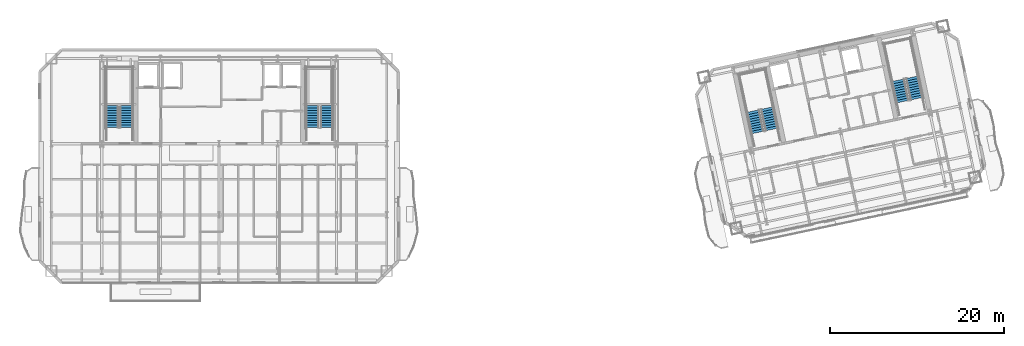
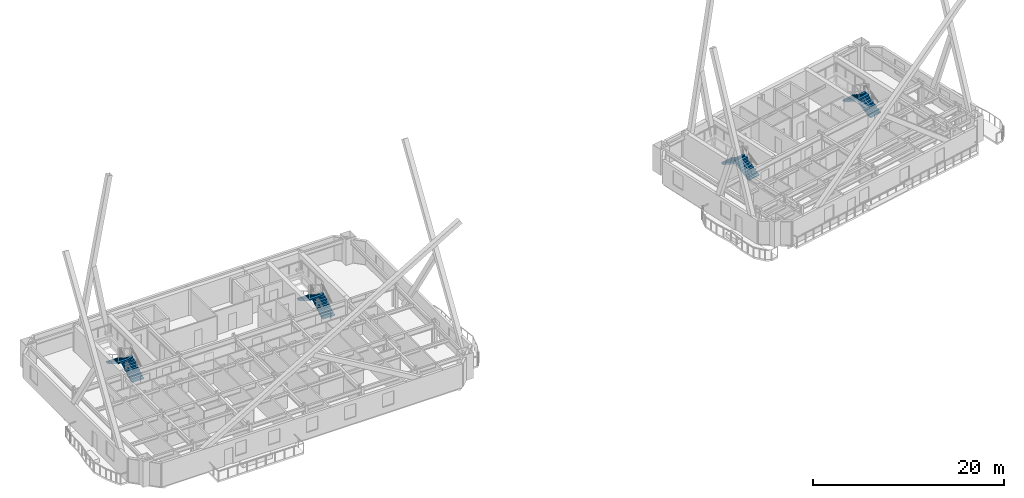
# One storey, part 15 of 20: 8 stair flights, 4 elements without a shape of their own.
"""IFC4 building model written with IfcOpenShell, lengths in metres."""

from ifc_helpers import new_model, si_unit, direction, frame, origin, place, context, subcontext, project, spatial, polyline, outline, extrude, material, type_object, element, aggregate, save


model = new_model("IFC4")

# Units and contexts
model_context = context("Model", 3, precision=1e-05, world=origin(), true_north=direction((0.0, 1.0)))
body_context = subcontext(model_context, "Body", "Model", "MODEL_VIEW")
ifc_project = project(units=[si_unit("LENGTHUNIT", "METRE"), si_unit("AREAUNIT", "SQUARE_METRE"), si_unit("VOLUMEUNIT", "CUBIC_METRE"), si_unit("PLANEANGLEUNIT", "RADIAN"), si_unit("MASSUNIT", "GRAM", prefix="KILO")], contexts=[model_context])

# Site, building, storey
site_placement = place(None, origin())
site = spatial("IfcSite", under=ifc_project, at=site_placement, CompositionType="ELEMENT")
building_placement = place(site_placement, origin())
building = spatial("IfcBuilding", under=site, at=building_placement, Name="Haevon Station Towers", CompositionType="ELEMENT")
storey_placement = place(building_placement, frame((0.0, 0.0, 175.800048828125)))
storey = spatial("IfcBuildingStorey", under=building, at=storey_placement, Name="L48", CompositionType="ELEMENT", Elevation=175.800048828125)

# Stair, stair flights
ifc_material = material(Name="Concrete C40/50", Category="concrete")
stair_type = type_object("IfcStairType", Name="STR-DL1450", PredefinedType="USERDEFINED", material=ifc_material)
stair_1_placement = place(storey_placement, origin())
stair_1 = element("IfcStair", 1, at=stair_1_placement, inside=storey, type_object=stair_type, Name="L48 Escape Stair ST1", ObjectType="TWO_RETURN_STAIR", PredefinedType="USERDEFINED")
stair_flight_type = type_object("IfcStairFlightType", Name="STF-ST1450", PredefinedType="STRAIGHT", material=ifc_material)
stair_flight_1_placement = place(storey_placement, frame((26.85498046875, 40.050048828125, 0.0), z_axis=(0.0, 0.0, 1.0), x_axis=(0.0, 1.0, 0.0)))
stair_flight_1 = element("IfcStairFlight", 2, at=stair_flight_1_placement, type_object=stair_flight_type, Name="L48 ST1 Flight 1", NumberOfRisers=10, NumberOfTreads=9, PredefinedType="STRAIGHT", RiserHeight=0.165, TreadLength=0.28, context=body_context, shape_type="SweptSolid", body=[
    extrude(outline(polyline([(0.0, 0.0), (0.0, 0.1650390625), (0.280029296875, 0.1650390625), (0.280029296875, 0.330078125), (0.56005859375, 0.330078125), (0.56005859375, 0.4951171875), (0.840087890625, 0.4951171875), (0.840087890625, 0.659912109375), (1.1201171875, 0.659912109375), (1.1201171875, 0.824951171875), (1.39990234375, 0.824951171875), (1.39990234375, 0.989990234375), (1.679931640625, 0.989990234375), (1.679931640625, 1.155029296875), (1.9599609375, 1.155029296875), (1.9599609375, 1.320068359375), (2.239990234375, 1.320068359375), (2.239990234375, 1.485107421875), (2.52001953125, 1.485107421875), (2.52001953125, 1.64990234375), (2.52001953125, 1.29931640625), (0.31494140625, 0.0), (0.0, 0.0)])), frame((0.0, 0.72509765625, 0.0), z_axis=(0.0, -1.0, 0.0), x_axis=(1.0, 0.0, 0.0)), (0.0, 0.0, 1.0), 1.449951171875),
])
stair_flight_2_placement = place(storey_placement, frame((25.205078125, 42.570068359375, 1.64990234375), z_axis=(0.0, 0.0, 1.0), x_axis=(0.0, -1.0, 0.0)))
stair_flight_2 = element("IfcStairFlight", 3, at=stair_flight_2_placement, type_object=stair_flight_type, Name="L48 ST1 Flight 2", NumberOfRisers=10, NumberOfTreads=9, PredefinedType="STRAIGHT", RiserHeight=0.165, TreadLength=0.28, context=body_context, shape_type="SweptSolid", body=[
    extrude(outline(polyline([(0.0, 0.0), (0.0, 0.1650390625), (0.280029296875, 0.1650390625), (0.280029296875, 0.330078125), (0.56005859375, 0.330078125), (0.56005859375, 0.4951171875), (0.840087890625, 0.4951171875), (0.840087890625, 0.659912109375), (1.1201171875, 0.659912109375), (1.1201171875, 0.824951171875), (1.39990234375, 0.824951171875), (1.39990234375, 0.989990234375), (1.679931640625, 0.989990234375), (1.679931640625, 1.155029296875), (1.9599609375, 1.155029296875), (1.9599609375, 1.320068359375), (2.239990234375, 1.320068359375), (2.239990234375, 1.485107421875), (2.52001953125, 1.485107421875), (2.52001953125, 1.64990234375), (2.52001953125, 1.29931640625), (0.31494140625, 0.0), (0.0, 0.0)])), frame((0.0, 0.72509765625, 0.0), z_axis=(0.0, -1.0, 0.0), x_axis=(1.0, 0.0, 0.0)), (0.0, 0.0, 1.0), 1.449951171875),
])
aggregate(stair_1, [stair_flight_1, stair_flight_2])

stair_2_placement = place(storey_placement, origin())
stair_2 = element("IfcStair", 4, at=stair_2_placement, inside=storey, type_object=stair_type, Name="L48 Escape Stair ST2", ObjectType="TWO_RETURN_STAIR", PredefinedType="USERDEFINED")
stair_flight_3_placement = place(storey_placement, frame((49.89501953125, 40.050048828125, 0.0), z_axis=(0.0, 0.0, 1.0), x_axis=(0.0, 1.0, 0.0)))
stair_flight_3 = element("IfcStairFlight", 5, at=stair_flight_3_placement, type_object=stair_flight_type, Name="L48 ST2 Flight 1", NumberOfRisers=10, NumberOfTreads=9, PredefinedType="STRAIGHT", RiserHeight=0.165, TreadLength=0.28, context=body_context, shape_type="SweptSolid", body=[
    extrude(outline(polyline([(0.0, 0.0), (0.0, 0.1650390625), (0.280029296875, 0.1650390625), (0.280029296875, 0.330078125), (0.56005859375, 0.330078125), (0.56005859375, 0.4951171875), (0.840087890625, 0.4951171875), (0.840087890625, 0.659912109375), (1.1201171875, 0.659912109375), (1.1201171875, 0.824951171875), (1.39990234375, 0.824951171875), (1.39990234375, 0.989990234375), (1.679931640625, 0.989990234375), (1.679931640625, 1.155029296875), (1.9599609375, 1.155029296875), (1.9599609375, 1.320068359375), (2.239990234375, 1.320068359375), (2.239990234375, 1.485107421875), (2.52001953125, 1.485107421875), (2.52001953125, 1.64990234375), (2.52001953125, 1.29931640625), (0.31494140625, 0.0), (0.0, 0.0)])), frame((0.0, 0.72509765625, 0.0), z_axis=(0.0, -1.0, 0.0), x_axis=(1.0, 0.0, 0.0)), (0.0, 0.0, 1.0), 1.449951171875),
])
stair_flight_4_placement = place(storey_placement, frame((48.2451171875, 42.570068359375, 1.64990234375), z_axis=(0.0, 0.0, 1.0), x_axis=(0.0, -1.0, 0.0)))
stair_flight_4 = element("IfcStairFlight", 6, at=stair_flight_4_placement, type_object=stair_flight_type, Name="L48 ST2 Flight 2", NumberOfRisers=10, NumberOfTreads=9, PredefinedType="STRAIGHT", RiserHeight=0.165, TreadLength=0.28, context=body_context, shape_type="SweptSolid", body=[
    extrude(outline(polyline([(0.0, 0.0), (0.0, 0.1650390625), (0.280029296875, 0.1650390625), (0.280029296875, 0.330078125), (0.56005859375, 0.330078125), (0.56005859375, 0.4951171875), (0.840087890625, 0.4951171875), (0.840087890625, 0.659912109375), (1.1201171875, 0.659912109375), (1.1201171875, 0.824951171875), (1.39990234375, 0.824951171875), (1.39990234375, 0.989990234375), (1.679931640625, 0.989990234375), (1.679931640625, 1.155029296875), (1.9599609375, 1.155029296875), (1.9599609375, 1.320068359375), (2.239990234375, 1.320068359375), (2.239990234375, 1.485107421875), (2.52001953125, 1.485107421875), (2.52001953125, 1.64990234375), (2.52001953125, 1.29931640625), (0.31494140625, 0.0), (0.0, 0.0)])), frame((0.0, 0.72509765625, 0.0), z_axis=(0.0, -1.0, 0.0), x_axis=(1.0, 0.0, 0.0)), (0.0, 0.0, 1.0), 1.449951171875),
])
aggregate(stair_2, [stair_flight_3, stair_flight_4])

stair_3_placement = place(storey_placement, origin())
stair_3 = element("IfcStair", 7, at=stair_3_placement, inside=storey, type_object=stair_type, Name="L48 Escape Stair ST3", ObjectType="TWO_RETURN_STAIR", PredefinedType="USERDEFINED")
stair_flight_5_placement = place(storey_placement, frame((101.1015625, 39.8330078125, 0.0), z_axis=(0.0, 0.0, 1.0), x_axis=(-0.207911690818, 0.978147600734, 0.0)))
stair_flight_5 = element("IfcStairFlight", 8, at=stair_flight_5_placement, type_object=stair_flight_type, Name="L48 ST3 Flight 1", NumberOfRisers=10, NumberOfTreads=9, PredefinedType="STRAIGHT", RiserHeight=0.165, TreadLength=0.28, context=body_context, shape_type="SweptSolid", body=[
    extrude(outline(polyline([(0.0, 0.0), (0.0, 0.1650390625), (0.280029296875, 0.1650390625), (0.280029296875, 0.330078125), (0.56005859375, 0.330078125), (0.56005859375, 0.4951171875), (0.840087890625, 0.4951171875), (0.840087890625, 0.659912109375), (1.1201171875, 0.659912109375), (1.1201171875, 0.824951171875), (1.39990234375, 0.824951171875), (1.39990234375, 0.989990234375), (1.679931640625, 0.989990234375), (1.679931640625, 1.155029296875), (1.9599609375, 1.155029296875), (1.9599609375, 1.320068359375), (2.239990234375, 1.320068359375), (2.239990234375, 1.485107421875), (2.52001953125, 1.485107421875), (2.52001953125, 1.64990234375), (2.52001953125, 1.29931640625), (0.31494140625, 0.0), (0.0, 0.0)])), frame((0.0, 0.72509765625, 0.0), z_axis=(0.0, -1.0, 0.0), x_axis=(1.0, 0.0, 0.0)), (0.0, 0.0, 1.0), 1.449951171875),
])
stair_flight_6_placement = place(storey_placement, frame((98.9638671875, 41.955078125, 1.64990234375), z_axis=(0.0, 0.0, 1.0), x_axis=(0.207911690818, -0.978147600734, 0.0)))
stair_flight_6 = element("IfcStairFlight", 9, at=stair_flight_6_placement, type_object=stair_flight_type, Name="L48 ST3 Flight 2", NumberOfRisers=10, NumberOfTreads=9, PredefinedType="STRAIGHT", RiserHeight=0.165, TreadLength=0.28, context=body_context, shape_type="SweptSolid", body=[
    extrude(outline(polyline([(0.0, 0.0), (0.0, 0.1650390625), (0.280029296875, 0.1650390625), (0.280029296875, 0.330078125), (0.56005859375, 0.330078125), (0.56005859375, 0.4951171875), (0.840087890625, 0.4951171875), (0.840087890625, 0.659912109375), (1.1201171875, 0.659912109375), (1.1201171875, 0.824951171875), (1.39990234375, 0.824951171875), (1.39990234375, 0.989990234375), (1.679931640625, 0.989990234375), (1.679931640625, 1.155029296875), (1.9599609375, 1.155029296875), (1.9599609375, 1.320068359375), (2.239990234375, 1.320068359375), (2.239990234375, 1.485107421875), (2.52001953125, 1.485107421875), (2.52001953125, 1.64990234375), (2.52001953125, 1.29931640625), (0.31494140625, 0.0), (0.0, 0.0)])), frame((0.0, 0.72509765625, 0.0), z_axis=(0.0, -1.0, 0.0), x_axis=(1.0, 0.0, 0.0)), (0.0, 0.0, 1.0), 1.449951171875),
])
aggregate(stair_3, [stair_flight_5, stair_flight_6])

stair_4_placement = place(storey_placement, origin())
stair_4 = element("IfcStair", 10, at=stair_4_placement, inside=storey, type_object=stair_type, Name="L48 Escape Stair ST4", ObjectType="TWO_RETURN_STAIR", PredefinedType="USERDEFINED")
stair_flight_7_placement = place(storey_placement, frame((117.788818359375, 43.380126953125, 0.0), z_axis=(0.0, 0.0, 1.0), x_axis=(-0.207911690818, 0.978147600734, 0.0)))
stair_flight_7 = element("IfcStairFlight", 11, at=stair_flight_7_placement, type_object=stair_flight_type, Name="L48 ST4 Flight 1", NumberOfRisers=10, NumberOfTreads=9, PredefinedType="STRAIGHT", RiserHeight=0.165, TreadLength=0.28, context=body_context, shape_type="SweptSolid", body=[
    extrude(outline(polyline([(0.0, 0.0), (0.0, 0.1650390625), (0.280029296875, 0.1650390625), (0.280029296875, 0.330078125), (0.56005859375, 0.330078125), (0.56005859375, 0.4951171875), (0.840087890625, 0.4951171875), (0.840087890625, 0.659912109375), (1.1201171875, 0.659912109375), (1.1201171875, 0.824951171875), (1.39990234375, 0.824951171875), (1.39990234375, 0.989990234375), (1.679931640625, 0.989990234375), (1.679931640625, 1.155029296875), (1.9599609375, 1.155029296875), (1.9599609375, 1.320068359375), (2.239990234375, 1.320068359375), (2.239990234375, 1.485107421875), (2.52001953125, 1.485107421875), (2.52001953125, 1.64990234375), (2.52001953125, 1.29931640625), (0.31494140625, 0.0), (0.0, 0.0)])), frame((0.0, 0.72509765625, 0.0), z_axis=(0.0, -1.0, 0.0), x_axis=(1.0, 0.0, 0.0)), (0.0, 0.0, 1.0), 1.449951171875),
])
stair_flight_8_placement = place(storey_placement, frame((115.65087890625, 45.501953125, 1.64990234375), z_axis=(0.0, 0.0, 1.0), x_axis=(0.207911690818, -0.978147600734, 0.0)))
stair_flight_8 = element("IfcStairFlight", 12, at=stair_flight_8_placement, type_object=stair_flight_type, Name="L48 ST4 Flight 2", NumberOfRisers=10, NumberOfTreads=9, PredefinedType="STRAIGHT", RiserHeight=0.165, TreadLength=0.28, context=body_context, shape_type="SweptSolid", body=[
    extrude(outline(polyline([(0.0, 0.0), (0.0, 0.1650390625), (0.280029296875, 0.1650390625), (0.280029296875, 0.330078125), (0.56005859375, 0.330078125), (0.56005859375, 0.4951171875), (0.840087890625, 0.4951171875), (0.840087890625, 0.659912109375), (1.1201171875, 0.659912109375), (1.1201171875, 0.824951171875), (1.39990234375, 0.824951171875), (1.39990234375, 0.989990234375), (1.679931640625, 0.989990234375), (1.679931640625, 1.155029296875), (1.9599609375, 1.155029296875), (1.9599609375, 1.320068359375), (2.239990234375, 1.320068359375), (2.239990234375, 1.485107421875), (2.52001953125, 1.485107421875), (2.52001953125, 1.64990234375), (2.52001953125, 1.29931640625), (0.31494140625, 0.0), (0.0, 0.0)])), frame((0.0, 0.72509765625, 0.0), z_axis=(0.0, -1.0, 0.0), x_axis=(1.0, 0.0, 0.0)), (0.0, 0.0, 1.0), 1.449951171875),
])
aggregate(stair_4, [stair_flight_7, stair_flight_8])

save(model, "model.ifc")
